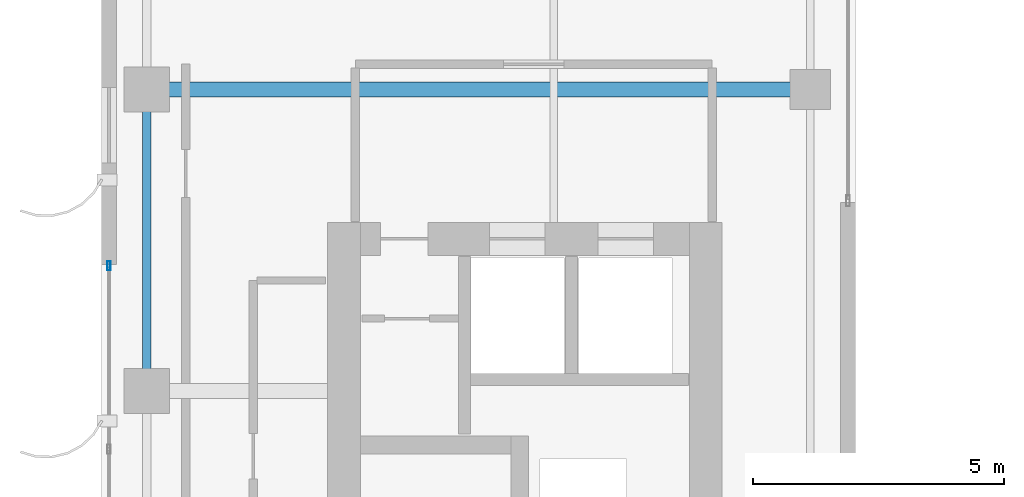
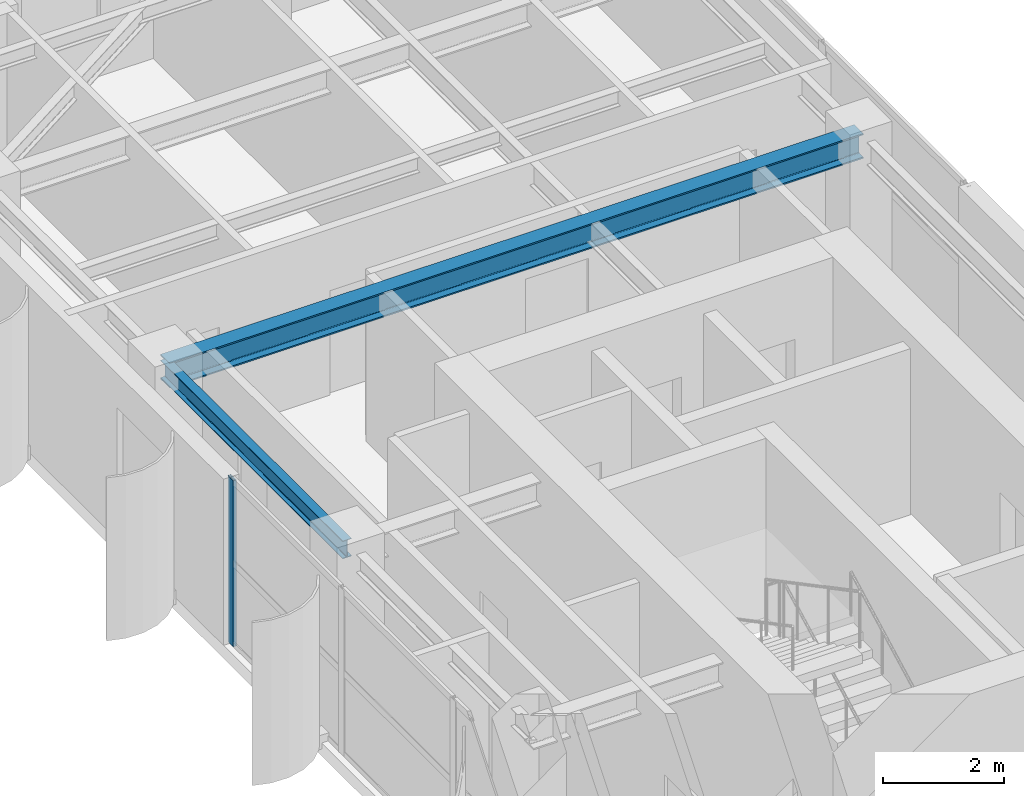
# One storey, part 8 of 22: 2 beams, 1 member, 1 element without a shape of its own.
"""IFC4 building model written with IfcOpenShell, lengths in metres."""

from ifc_helpers import new_model, si_unit, direction, frame, origin, origin_2d, place, context, subcontext, project, spatial, hollow_rectangle, i_section, extrude, source, transform, mapped, material, layer, layer_set, material_profile, profile_set, type_object, element, aggregate, save


model = new_model("IFC4")

# Units and contexts
model_context = context("Model", 3, precision=1e-05, world=origin(), true_north=direction((0.0, 1.0)))
body_context = subcontext(model_context, "Body", "Model", "MODEL_VIEW")
ifc_project = project(units=[si_unit("LENGTHUNIT", "METRE"), si_unit("AREAUNIT", "SQUARE_METRE"), si_unit("VOLUMEUNIT", "CUBIC_METRE"), si_unit("PLANEANGLEUNIT", "RADIAN"), si_unit("MASSUNIT", "GRAM", prefix="KILO")], contexts=[model_context])

# Site, building, storey
site_placement = place(None, origin())
site = spatial("IfcSite", under=ifc_project, at=site_placement, CompositionType="ELEMENT")
building_placement = place(site_placement, origin())
building = spatial("IfcBuilding", under=site, at=building_placement, Name="Khoralis Quay Care Tower", CompositionType="ELEMENT")
storey_placement = place(building_placement, frame((0.0, 0.0, 202.5)))
storey = spatial("IfcBuildingStorey", under=building, at=storey_placement, Name="L53", CompositionType="ELEMENT", Elevation=202.5)

# Beams
ifc_material_1 = material(Name="Steel S355", Category="steel")
ifc_material_profile_1 = material_profile(ifc_material_1, i_section(OverallWidth=0.169921875, OverallDepth=0.360107421875, WebThickness=0.008056640625, FlangeThickness=0.0126953125, FilletRadius=0.01806640625, at=origin_2d()), Name="Steel S355")
ifc_profile_set_1 = profile_set([ifc_material_profile_1], Name="Steel S355")
beam_type_1 = type_object("IfcBeamType", Name="BM-IPE360", PredefinedType="SPANDREL", material=ifc_profile_set_1)
shared_shape_1 = source(origin(), body_context, "Body", "SweptSolid", [
    extrude(i_section(OverallWidth=0.169921875, OverallDepth=0.360107421875, WebThickness=0.008056640625, FlangeThickness=0.0126953125, FilletRadius=0.01806640625, at=origin_2d()), origin(), (0.0, 0.0, 1.0), 6.0),
])
beam_1_placement = place(storey_placement, frame((3.89990234375, 24.0, 3.159912109375), z_axis=(0.0, 1.0, 0.0), x_axis=(-1.0, 0.0, 0.0)))
element("IfcBeam", 1, at=beam_1_placement, inside=storey, type_object=beam_type_1, Name="BM-TSP-L53-08", PredefinedType="SPANDREL", context=body_context, shape_type="MappedRepresentation", body=[
    mapped(shared_shape_1, transform((0.0, 0.0, 0.0), scale=1.0)),
])
ifc_material_profile_2 = material_profile(ifc_material_1, i_section(OverallWidth=0.300048828125, OverallDepth=0.5, WebThickness=0.014404296875, FlangeThickness=0.028076171875, FilletRadius=0.027099609375, at=origin_2d()), Name="Steel S355")
ifc_profile_set_2 = profile_set([ifc_material_profile_2], Name="Steel S355")
beam_type_2 = type_object("IfcBeamType", Name="BM-HEB500", PredefinedType="BEAM", material=ifc_profile_set_2)
shared_shape_2 = source(origin(), body_context, "Body", "SweptSolid", [
    extrude(i_section(OverallWidth=0.300048828125, OverallDepth=0.5, WebThickness=0.014404296875, FlangeThickness=0.028076171875, FilletRadius=0.027099609375, at=origin_2d()), origin(), (0.0, 0.0, 1.0), 13.2001953125),
])
beam_2_placement = place(storey_placement, frame((3.89990234375, 30.0, 3.090087890625), z_axis=(1.0, 0.0, 0.0), x_axis=(0.0, 1.0, 0.0)))
element("IfcBeam", 2, at=beam_2_placement, inside=storey, type_object=beam_type_2, Name="BM-TGXW-L53-300", PredefinedType="BEAM", context=body_context, shape_type="MappedRepresentation", body=[
    mapped(shared_shape_2, transform((0.0, 0.0, 0.0), scale=1.0)),
])

# Curtain wall, member
ifc_material_2 = material(Name="Pale anodised aluminium", Category="aluminium")
ifc_layer = layer(ifc_material_2, 0.159912109375)
ifc_layer_set = layer_set([ifc_layer], Name="Pale anodised aluminium")
curtain_wall_type = type_object("IfcCurtainWallType", Name="CW-SYS-Z3", PredefinedType="NOTDEFINED", material=ifc_layer_set)
curtain_wall_placement = place(storey_placement, origin())
curtain_wall = element("IfcCurtainWall", 3, at=curtain_wall_placement, inside=storey, type_object=curtain_wall_type, Name="L53 Unitised Curtain Wall CW-L53-P1-E7", PredefinedType="NOTDEFINED")
ifc_material_profile_3 = material_profile(ifc_material_2, hollow_rectangle(XDim=0.06494140625, YDim=0.179931640625, WallThickness=0.00390625, at=origin_2d()), Name="Pale anodised aluminium")
ifc_profile_set_3 = profile_set([ifc_material_profile_3], Name="Pale anodised aluminium")
member_type = type_object("IfcMemberType", Name="CW-MUL-180", PredefinedType="MULLION", material=ifc_profile_set_3)
shared_shape_3 = source(origin(), body_context, "Body", "SweptSolid", [
    extrude(hollow_rectangle(XDim=0.06494140625, YDim=0.179931640625, WallThickness=0.00390625, at=origin_2d()), origin(), (0.0, 0.0, 1.0), 3.340087890625),
])
member_placement = place(storey_placement, frame((3.14990234375, 26.489990234375, 0.0), z_axis=(0.0, 0.0, 1.0), x_axis=(1.0, 0.0, 0.0)))
member = element("IfcMember", 4, at=member_placement, type_object=member_type, Name="CW3 mullion 1", PredefinedType="MULLION", context=body_context, shape_type="MappedRepresentation", body=[
    mapped(shared_shape_3, transform((0.0, 0.0, 0.0), scale=1.0)),
])
aggregate(curtain_wall, [member])

save(model, "model.ifc")
